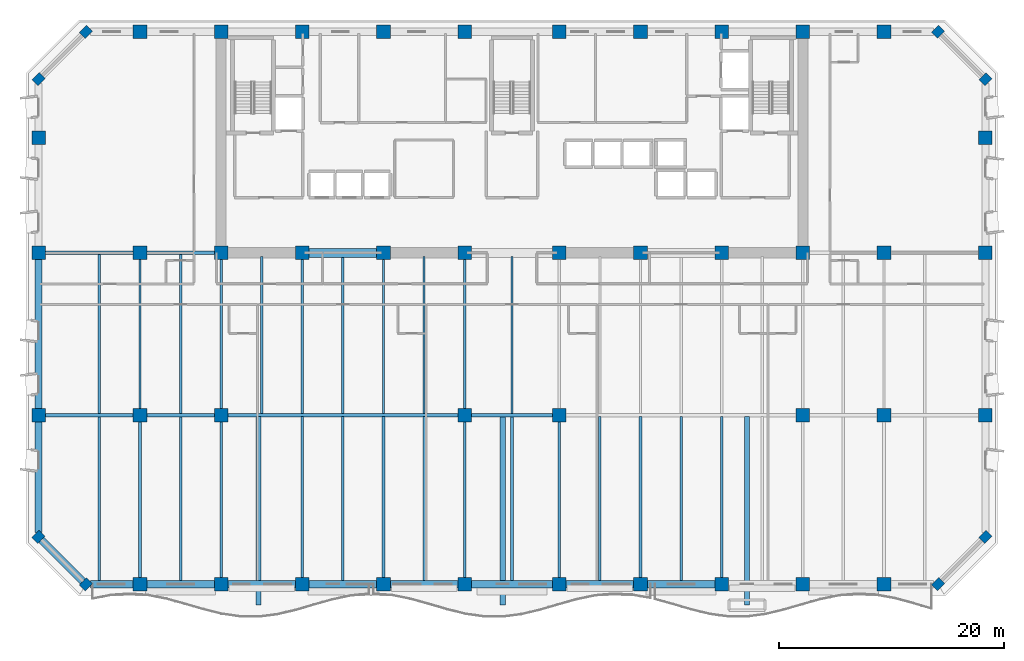
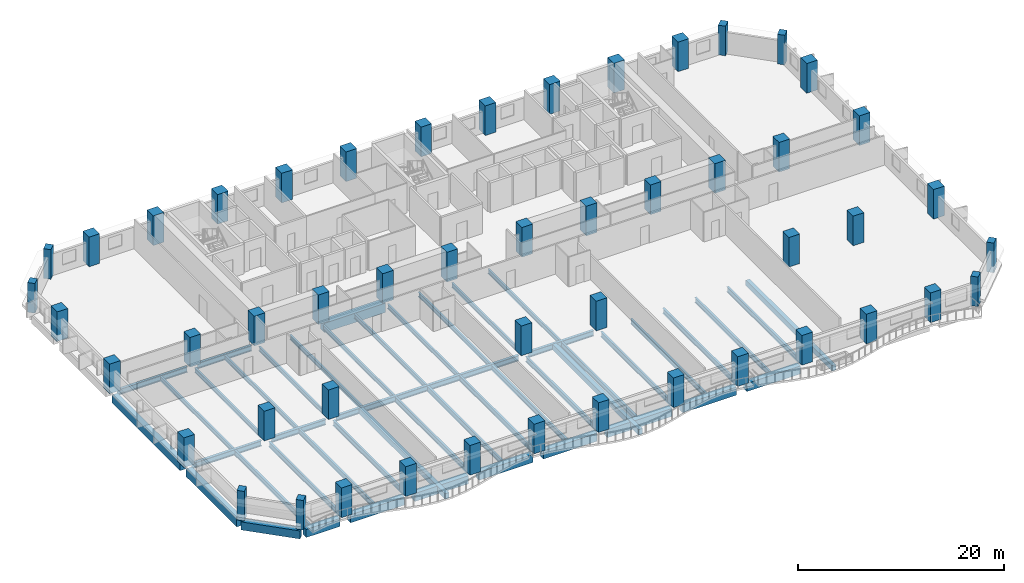
# One storey, part 1 of 14: 50 columns, 47 beams.
"""IFC4 building model written with IfcOpenShell, lengths in metres."""

from ifc_helpers import new_model, si_unit, direction, frame, origin, origin_2d, place, context, subcontext, project, spatial, rectangle, i_section, extrude, material, material_profile, profile_set, type_object, element, save


model = new_model("IFC4")

# Units and contexts
model_context = context("Model", 3, precision=1e-05, world=origin(), true_north=direction((0.0, 1.0)))
body_context = subcontext(model_context, "Body", "Model", "MODEL_VIEW")
ifc_project = project(units=[si_unit("LENGTHUNIT", "METRE"), si_unit("AREAUNIT", "SQUARE_METRE"), si_unit("VOLUMEUNIT", "CUBIC_METRE"), si_unit("PLANEANGLEUNIT", "RADIAN"), si_unit("MASSUNIT", "GRAM", prefix="KILO")], contexts=[model_context])

# Site, building, storey
site_placement = place(None, origin())
site = spatial("IfcSite", under=ifc_project, at=site_placement, CompositionType="ELEMENT")
building_placement = place(site_placement, origin())
building = spatial("IfcBuilding", under=site, at=building_placement, Name="Kaelvorn Grand Hotel", CompositionType="ELEMENT")
storey_placement = place(building_placement, frame((0.0, 0.0, 123.050048828125)))
storey = spatial("IfcBuildingStorey", under=building, at=storey_placement, Name="L29", CompositionType="ELEMENT", Elevation=123.050048828125)

# Columns
ifc_material_1 = material(Name="Concrete C60/75", Category="concrete")
ifc_material_profile_1 = material_profile(ifc_material_1, rectangle(XDim=0.89990234375, YDim=0.75, at=origin_2d()), Name="RC PILASTER 900x750")
ifc_profile_set_1 = profile_set([ifc_material_profile_1], Name="Concrete C60/75")
column_type_1 = type_object("IfcColumnType", Name="COL-PIL-900x750-C60", PredefinedType="PILASTER", material=ifc_profile_set_1)
for number, where, z_axis, x_axis, name in (
    (1, (4.199951171875, 0.0, 0.0), (0.0, 0.0, 1.0), (0.707106781187, 0.707106781187, 0.0), "L29 Structural Column CH-01"),
    (2, (79.800048828125, 0.0, 0.0), (0.0, 0.0, 1.0), (0.707106781187, 0.707106781187, 0.0), "L29 Structural Column CH-02"),
    (3, (84.0, 4.199951171875, 0.0), (0.0, 0.0, 1.0), (0.707106781187, 0.707106781187, 0.0), "L29 Structural Column CH-03"),
    (4, (84.0, 44.800048828125, 0.0), (0.0, 0.0, 1.0), (0.707106781187, 0.707106781187, 0.0), "L29 Structural Column CH-04"),
    (5, (79.800048828125, 49.0, 0.0), (0.0, 0.0, 1.0), (0.707106781187, 0.707106781187, 0.0), "L29 Structural Column CH-05"),
    (6, (4.199951171875, 49.0, 0.0), (0.0, 0.0, 1.0), (0.707106781187, 0.707106781187, 0.0), "L29 Structural Column CH-06"),
    (7, (0.0, 44.800048828125, 0.0), (0.0, 0.0, 1.0), (0.707106781187, 0.707106781187, 0.0), "L29 Structural Column CH-07"),
    (8, (0.0, 4.199951171875, 0.0), (0.0, 0.0, 1.0), (0.707106781187, 0.707106781187, 0.0), "L29 Structural Column CH-08"),
):
    element("IfcColumn", number, at=place(storey_placement, frame(where, z_axis=z_axis, x_axis=x_axis)), inside=storey, type_object=column_type_1, Name=name, PredefinedType="PILASTER", context=body_context, shape_type="SweptSolid", body=[
        extrude(rectangle(XDim=0.89990234375, YDim=0.75, at=origin_2d()), origin(), (0.0, 0.0, 1.0), 3.510009765625),
    ])
ifc_material_profile_2 = material_profile(ifc_material_1, rectangle(XDim=1.199951171875, YDim=1.199951171875, at=origin_2d()), Name="RC COL 1200x1200")
ifc_profile_set_2 = profile_set([ifc_material_profile_2], Name="Concrete C60/75")
column_type_2 = type_object("IfcColumnType", Name="COL-RC-1200-C60", PredefinedType="COLUMN", material=ifc_profile_set_2)
for number, where, z_axis, x_axis, name in (
    (9, (9.0, 0.0, 0.0), (0.0, 0.0, 1.0), (1.0, 0.0, 0.0), "L29 Structural Column S-01"),
    (10, (16.199951171875, 0.0, 0.0), (0.0, 0.0, 1.0), (1.0, 0.0, 0.0), "L29 Structural Column S-02"),
    (11, (23.39990234375, 0.0, 0.0), (0.0, 0.0, 1.0), (1.0, 0.0, 0.0), "L29 Structural Column S-03"),
    (12, (30.60009765625, 0.0, 0.0), (0.0, 0.0, 1.0), (1.0, 0.0, 0.0), "L29 Structural Column S-04"),
    (13, (37.800048828125, 0.0, 0.0), (0.0, 0.0, 1.0), (1.0, 0.0, 0.0), "L29 Structural Column S-05"),
    (14, (46.199951171875, 0.0, 0.0), (0.0, 0.0, 1.0), (1.0, 0.0, 0.0), "L29 Structural Column S-06"),
    (15, (53.39990234375, 0.0, 0.0), (0.0, 0.0, 1.0), (1.0, 0.0, 0.0), "L29 Structural Column S-07"),
    (16, (60.60009765625, 0.0, 0.0), (0.0, 0.0, 1.0), (1.0, 0.0, 0.0), "L29 Structural Column S-08"),
    (17, (67.800048828125, 0.0, 0.0), (0.0, 0.0, 1.0), (1.0, 0.0, 0.0), "L29 Structural Column S-09"),
    (18, (75.0, 0.0, 0.0), (0.0, 0.0, 1.0), (1.0, 0.0, 0.0), "L29 Structural Column S-10"),
    (19, (0.0, 15.0, 0.0), (0.0, 0.0, 1.0), (1.0, 0.0, 0.0), "L29 Structural Column W-01"),
    (20, (84.0, 15.0, 0.0), (0.0, 0.0, 1.0), (1.0, 0.0, 0.0), "L29 Structural Column E-01"),
    (21, (0.0, 29.39990234375, 0.0), (0.0, 0.0, 1.0), (1.0, 0.0, 0.0), "L29 Structural Column W-02"),
    (22, (84.0, 29.39990234375, 0.0), (0.0, 0.0, 1.0), (1.0, 0.0, 0.0), "L29 Structural Column E-02"),
    (23, (0.0, 39.60009765625, 0.0), (0.0, 0.0, 1.0), (1.0, 0.0, 0.0), "L29 Structural Column W-03"),
    (24, (84.0, 39.60009765625, 0.0), (0.0, 0.0, 1.0), (1.0, 0.0, 0.0), "L29 Structural Column E-03"),
    (25, (9.0, 15.0, 0.0), (0.0, 0.0, 1.0), (1.0, 0.0, 0.0), "L29 Structural Column M-01"),
    (26, (16.199951171875, 15.0, 0.0), (0.0, 0.0, 1.0), (1.0, 0.0, 0.0), "L29 Structural Column M-02"),
    (27, (37.800048828125, 15.0, 0.0), (0.0, 0.0, 1.0), (1.0, 0.0, 0.0), "L29 Structural Column M-03"),
    (28, (46.199951171875, 15.0, 0.0), (0.0, 0.0, 1.0), (1.0, 0.0, 0.0), "L29 Structural Column M-04"),
    (29, (67.800048828125, 15.0, 0.0), (0.0, 0.0, 1.0), (1.0, 0.0, 0.0), "L29 Structural Column M-05"),
    (30, (75.0, 15.0, 0.0), (0.0, 0.0, 1.0), (1.0, 0.0, 0.0), "L29 Structural Column M-06"),
    (31, (9.0, 29.39990234375, 0.0), (0.0, 0.0, 1.0), (1.0, 0.0, 0.0), "L29 Structural Column CR1-01"),
    (32, (9.0, 49.0, 0.0), (0.0, 0.0, 1.0), (1.0, 0.0, 0.0), "L29 Structural Column CR2-01"),
    (33, (16.199951171875, 29.39990234375, 0.0), (0.0, 0.0, 1.0), (1.0, 0.0, 0.0), "L29 Structural Column CR1-02"),
    (34, (16.199951171875, 49.0, 0.0), (0.0, 0.0, 1.0), (1.0, 0.0, 0.0), "L29 Structural Column CR2-02"),
    (35, (23.39990234375, 29.39990234375, 0.0), (0.0, 0.0, 1.0), (1.0, 0.0, 0.0), "L29 Structural Column CR1-03"),
    (36, (23.39990234375, 49.0, 0.0), (0.0, 0.0, 1.0), (1.0, 0.0, 0.0), "L29 Structural Column CR2-03"),
    (37, (30.60009765625, 29.39990234375, 0.0), (0.0, 0.0, 1.0), (1.0, 0.0, 0.0), "L29 Structural Column CR1-04"),
    (38, (30.60009765625, 49.0, 0.0), (0.0, 0.0, 1.0), (1.0, 0.0, 0.0), "L29 Structural Column CR2-04"),
    (39, (37.800048828125, 29.39990234375, 0.0), (0.0, 0.0, 1.0), (1.0, 0.0, 0.0), "L29 Structural Column CR1-05"),
    (40, (37.800048828125, 49.0, 0.0), (0.0, 0.0, 1.0), (1.0, 0.0, 0.0), "L29 Structural Column CR2-05"),
    (41, (46.199951171875, 29.39990234375, 0.0), (0.0, 0.0, 1.0), (1.0, 0.0, 0.0), "L29 Structural Column CR1-06"),
    (42, (46.199951171875, 49.0, 0.0), (0.0, 0.0, 1.0), (1.0, 0.0, 0.0), "L29 Structural Column CR2-06"),
    (43, (53.39990234375, 29.39990234375, 0.0), (0.0, 0.0, 1.0), (1.0, 0.0, 0.0), "L29 Structural Column CR1-07"),
    (44, (53.39990234375, 49.0, 0.0), (0.0, 0.0, 1.0), (1.0, 0.0, 0.0), "L29 Structural Column CR2-07"),
    (45, (60.60009765625, 29.39990234375, 0.0), (0.0, 0.0, 1.0), (1.0, 0.0, 0.0), "L29 Structural Column CR1-08"),
    (46, (60.60009765625, 49.0, 0.0), (0.0, 0.0, 1.0), (1.0, 0.0, 0.0), "L29 Structural Column CR2-08"),
    (47, (67.800048828125, 29.39990234375, 0.0), (0.0, 0.0, 1.0), (1.0, 0.0, 0.0), "L29 Structural Column CR1-09"),
    (48, (67.800048828125, 49.0, 0.0), (0.0, 0.0, 1.0), (1.0, 0.0, 0.0), "L29 Structural Column CR2-09"),
    (49, (75.0, 29.39990234375, 0.0), (0.0, 0.0, 1.0), (1.0, 0.0, 0.0), "L29 Structural Column CR1-10"),
    (50, (75.0, 49.0, 0.0), (0.0, 0.0, 1.0), (1.0, 0.0, 0.0), "L29 Structural Column CR2-10"),
):
    element("IfcColumn", number, at=place(storey_placement, frame(where, z_axis=z_axis, x_axis=x_axis)), inside=storey, type_object=column_type_2, Name=name, PredefinedType="COLUMN", context=body_context, shape_type="SweptSolid", body=[
        extrude(rectangle(XDim=1.199951171875, YDim=1.199951171875, at=origin_2d()), origin(), (0.0, 0.0, 1.0), 3.510009765625),
    ])

# Beams
ifc_material_2 = material(Name="Steel S355", Category="steel")
ifc_material_profile_3 = material_profile(ifc_material_2, i_section(OverallWidth=0.300048828125, OverallDepth=0.64990234375, WebThickness=0.01611328125, FlangeThickness=0.031005859375, FilletRadius=0.027099609375, at=origin_2d()), Name="HEB 650")
ifc_profile_set_3 = profile_set([ifc_material_profile_3], Name="Steel S355")
beam_type_1 = type_object("IfcBeamType", Name="BM-G-HEB650-S355", PredefinedType="BEAM", material=ifc_profile_set_3)
beam_1_placement = place(storey_placement, frame((0.5849609375, 15.0, -0.56494140625), z_axis=(1.0, 0.0, 0.0), x_axis=(0.0, 1.0, 0.0)))
element("IfcBeam", 51, at=beam_1_placement, inside=storey, type_object=beam_type_1, Name="L29 Primary Spine Steel Girder G-15 01", PredefinedType="BEAM", context=body_context, shape_type="SweptSolid", body=[
    extrude(i_section(OverallWidth=0.300048828125, OverallDepth=0.64990234375, WebThickness=0.01611328125, FlangeThickness=0.031005859375, FilletRadius=0.027099609375, at=origin_2d()), origin(), (0.0, 0.0, 1.0), 7.830078125),
])
beam_2_placement = place(storey_placement, frame((9.5849609375, 15.0, -0.56494140625), z_axis=(1.0, 0.0, 0.0), x_axis=(0.0, 1.0, 0.0)))
element("IfcBeam", 52, at=beam_2_placement, inside=storey, type_object=beam_type_1, Name="L29 Primary Spine Steel Girder G-15 02", PredefinedType="BEAM", context=body_context, shape_type="SweptSolid", body=[
    extrude(i_section(OverallWidth=0.300048828125, OverallDepth=0.64990234375, WebThickness=0.01611328125, FlangeThickness=0.031005859375, FilletRadius=0.027099609375, at=origin_2d()), origin(), (0.0, 0.0, 1.0), 6.030029296875),
])
beam_3_placement = place(storey_placement, frame((16.784912109375, 15.0, -0.56494140625), z_axis=(1.0, 0.0, 0.0), x_axis=(0.0, 1.0, 0.0)))
element("IfcBeam", 53, at=beam_3_placement, inside=storey, type_object=beam_type_1, Name="L29 Primary Spine Steel Girder G-15 03", PredefinedType="BEAM", context=body_context, shape_type="SweptSolid", body=[
    extrude(i_section(OverallWidth=0.300048828125, OverallDepth=0.64990234375, WebThickness=0.01611328125, FlangeThickness=0.031005859375, FilletRadius=0.027099609375, at=origin_2d()), origin(), (0.0, 0.0, 1.0), 20.43017578125),
])
beam_4_placement = place(storey_placement, frame((38.385009765625, 15.0, -0.56494140625), z_axis=(1.0, 0.0, 0.0), x_axis=(0.0, 1.0, 0.0)))
element("IfcBeam", 54, at=beam_4_placement, inside=storey, type_object=beam_type_1, Name="L29 Primary Spine Steel Girder G-15 04", PredefinedType="BEAM", context=body_context, shape_type="SweptSolid", body=[
    extrude(i_section(OverallWidth=0.300048828125, OverallDepth=0.64990234375, WebThickness=0.01611328125, FlangeThickness=0.031005859375, FilletRadius=0.027099609375, at=origin_2d()), origin(), (0.0, 0.0, 1.0), 7.22998046875),
])
beam_5_placement = place(storey_placement, frame((0.5849609375, 29.39990234375, -0.56494140625), z_axis=(1.0, 0.0, 0.0), x_axis=(0.0, 1.0, 0.0)))
element("IfcBeam", 55, at=beam_5_placement, inside=storey, type_object=beam_type_1, Name="L29 West Core Wing Steel Girder G-29W 01", PredefinedType="BEAM", context=body_context, shape_type="SweptSolid", body=[
    extrude(i_section(OverallWidth=0.300048828125, OverallDepth=0.64990234375, WebThickness=0.01611328125, FlangeThickness=0.031005859375, FilletRadius=0.027099609375, at=origin_2d()), origin(), (0.0, 0.0, 1.0), 7.830078125),
])
beam_6_placement = place(storey_placement, frame((9.5849609375, 29.39990234375, -0.56494140625), z_axis=(1.0, 0.0, 0.0), x_axis=(0.0, 1.0, 0.0)))
element("IfcBeam", 56, at=beam_6_placement, inside=storey, type_object=beam_type_1, Name="L29 West Core Wing Steel Girder G-29W 02", PredefinedType="BEAM", context=body_context, shape_type="SweptSolid", body=[
    extrude(i_section(OverallWidth=0.300048828125, OverallDepth=0.64990234375, WebThickness=0.01611328125, FlangeThickness=0.031005859375, FilletRadius=0.027099609375, at=origin_2d()), origin(), (0.0, 0.0, 1.0), 6.030029296875),
])
ifc_material_profile_4 = material_profile(ifc_material_2, i_section(OverallWidth=0.209228515625, OverallDepth=0.533203125, WebThickness=0.010009765625, FlangeThickness=0.015625, FilletRadius=0.0126953125, at=origin_2d()), Name="UB 533x210x92")
ifc_profile_set_4 = profile_set([ifc_material_profile_4], Name="Steel S355")
beam_type_2 = type_object("IfcBeamType", Name="BM-J-UB533-S355", PredefinedType="JOIST", material=ifc_profile_set_4)
beam_7_placement = place(storey_placement, frame((5.39990234375, 15.135009765625, -0.506591796875), z_axis=(0.0, 1.0, 0.0), x_axis=(-1.0, 0.0, 0.0)))
element("IfcBeam", 57, at=beam_7_placement, inside=storey, type_object=beam_type_2, Name="L29 Composite Floor Joist JM-02", PredefinedType="JOIST", context=body_context, shape_type="SweptSolid", body=[
    extrude(i_section(OverallWidth=0.209228515625, OverallDepth=0.533203125, WebThickness=0.010009765625, FlangeThickness=0.015625, FilletRadius=0.0126953125, at=origin_2d()), origin(), (0.0, 0.0, 1.0), 14.1298828125),
])
beam_8_placement = place(storey_placement, frame((9.0, 15.5849609375, -0.506591796875), z_axis=(0.0, 1.0, 0.0), x_axis=(-1.0, 0.0, 0.0)))
element("IfcBeam", 58, at=beam_8_placement, inside=storey, type_object=beam_type_2, Name="L29 Composite Floor Joist JM-03", PredefinedType="JOIST", context=body_context, shape_type="SweptSolid", body=[
    extrude(i_section(OverallWidth=0.209228515625, OverallDepth=0.533203125, WebThickness=0.010009765625, FlangeThickness=0.015625, FilletRadius=0.0126953125, at=origin_2d()), origin(), (0.0, 0.0, 1.0), 13.22998046875),
])
beam_9_placement = place(storey_placement, frame((12.60009765625, 15.135009765625, -0.506591796875), z_axis=(0.0, 1.0, 0.0), x_axis=(-1.0, 0.0, 0.0)))
element("IfcBeam", 59, at=beam_9_placement, inside=storey, type_object=beam_type_2, Name="L29 Composite Floor Joist JM-04", PredefinedType="JOIST", context=body_context, shape_type="SweptSolid", body=[
    extrude(i_section(OverallWidth=0.209228515625, OverallDepth=0.533203125, WebThickness=0.010009765625, FlangeThickness=0.015625, FilletRadius=0.0126953125, at=origin_2d()), origin(), (0.0, 0.0, 1.0), 14.1298828125),
])
beam_10_placement = place(storey_placement, frame((16.199951171875, 15.5849609375, -0.506591796875), z_axis=(0.0, 1.0, 0.0), x_axis=(-1.0, 0.0, 0.0)))
element("IfcBeam", 60, at=beam_10_placement, inside=storey, type_object=beam_type_2, Name="L29 Composite Floor Joist JM-05", PredefinedType="JOIST", context=body_context, shape_type="SweptSolid", body=[
    extrude(i_section(OverallWidth=0.209228515625, OverallDepth=0.533203125, WebThickness=0.010009765625, FlangeThickness=0.015625, FilletRadius=0.0126953125, at=origin_2d()), origin(), (0.0, 0.0, 1.0), 13.22998046875),
])
beam_11_placement = place(storey_placement, frame((19.800048828125, 15.135009765625, -0.506591796875), z_axis=(0.0, 1.0, 0.0), x_axis=(-1.0, 0.0, 0.0)))
element("IfcBeam", 61, at=beam_11_placement, inside=storey, type_object=beam_type_2, Name="L29 Composite Floor Joist JM-06", PredefinedType="JOIST", context=body_context, shape_type="SweptSolid", body=[
    extrude(i_section(OverallWidth=0.209228515625, OverallDepth=0.533203125, WebThickness=0.010009765625, FlangeThickness=0.015625, FilletRadius=0.0126953125, at=origin_2d()), origin(), (0.0, 0.0, 1.0), 13.925048828125),
])
beam_12_placement = place(storey_placement, frame((23.39990234375, 15.135009765625, -0.506591796875), z_axis=(0.0, 1.0, 0.0), x_axis=(-1.0, 0.0, 0.0)))
element("IfcBeam", 62, at=beam_12_placement, inside=storey, type_object=beam_type_2, Name="L29 Composite Floor Joist JM-07", PredefinedType="JOIST", context=body_context, shape_type="SweptSolid", body=[
    extrude(i_section(OverallWidth=0.209228515625, OverallDepth=0.533203125, WebThickness=0.010009765625, FlangeThickness=0.015625, FilletRadius=0.0126953125, at=origin_2d()), origin(), (0.0, 0.0, 1.0), 13.679931640625),
])
beam_13_placement = place(storey_placement, frame((27.0, 15.135009765625, -0.506591796875), z_axis=(0.0, 1.0, 0.0), x_axis=(-1.0, 0.0, 0.0)))
element("IfcBeam", 63, at=beam_13_placement, inside=storey, type_object=beam_type_2, Name="L29 Composite Floor Joist JM-08", PredefinedType="JOIST", context=body_context, shape_type="SweptSolid", body=[
    extrude(i_section(OverallWidth=0.209228515625, OverallDepth=0.533203125, WebThickness=0.010009765625, FlangeThickness=0.015625, FilletRadius=0.0126953125, at=origin_2d()), origin(), (0.0, 0.0, 1.0), 13.925048828125),
])
beam_14_placement = place(storey_placement, frame((30.60009765625, 15.135009765625, -0.506591796875), z_axis=(0.0, 1.0, 0.0), x_axis=(-1.0, 0.0, 0.0)))
element("IfcBeam", 64, at=beam_14_placement, inside=storey, type_object=beam_type_2, Name="L29 Composite Floor Joist JM-09", PredefinedType="JOIST", context=body_context, shape_type="SweptSolid", body=[
    extrude(i_section(OverallWidth=0.209228515625, OverallDepth=0.533203125, WebThickness=0.010009765625, FlangeThickness=0.015625, FilletRadius=0.0126953125, at=origin_2d()), origin(), (0.0, 0.0, 1.0), 13.679931640625),
])
beam_15_placement = place(storey_placement, frame((34.199951171875, 15.135009765625, -0.506591796875), z_axis=(0.0, 1.0, 0.0), x_axis=(-1.0, 0.0, 0.0)))
element("IfcBeam", 65, at=beam_15_placement, inside=storey, type_object=beam_type_2, Name="L29 Composite Floor Joist JM-10", PredefinedType="JOIST", context=body_context, shape_type="SweptSolid", body=[
    extrude(i_section(OverallWidth=0.209228515625, OverallDepth=0.533203125, WebThickness=0.010009765625, FlangeThickness=0.015625, FilletRadius=0.0126953125, at=origin_2d()), origin(), (0.0, 0.0, 1.0), 13.925048828125),
])
beam_16_placement = place(storey_placement, frame((37.800048828125, 15.5849609375, -0.506591796875), z_axis=(0.0, 1.0, 0.0), x_axis=(-1.0, 0.0, 0.0)))
element("IfcBeam", 66, at=beam_16_placement, inside=storey, type_object=beam_type_2, Name="L29 Composite Floor Joist JM-11", PredefinedType="JOIST", context=body_context, shape_type="SweptSolid", body=[
    extrude(i_section(OverallWidth=0.209228515625, OverallDepth=0.533203125, WebThickness=0.010009765625, FlangeThickness=0.015625, FilletRadius=0.0126953125, at=origin_2d()), origin(), (0.0, 0.0, 1.0), 13.22998046875),
])
beam_17_placement = place(storey_placement, frame((42.0, 15.135009765625, -0.506591796875), z_axis=(0.0, 1.0, 0.0), x_axis=(-1.0, 0.0, 0.0)))
element("IfcBeam", 67, at=beam_17_placement, inside=storey, type_object=beam_type_2, Name="L29 Composite Floor Joist JM-12", PredefinedType="JOIST", context=body_context, shape_type="SweptSolid", body=[
    extrude(i_section(OverallWidth=0.209228515625, OverallDepth=0.533203125, WebThickness=0.010009765625, FlangeThickness=0.015625, FilletRadius=0.0126953125, at=origin_2d()), origin(), (0.0, 0.0, 1.0), 13.925048828125),
])
ifc_material_profile_5 = material_profile(ifc_material_2, i_section(OverallWidth=0.22900390625, OverallDepth=0.6123046875, WebThickness=0.011962890625, FlangeThickness=0.01953125, FilletRadius=0.0126953125, at=origin_2d()), Name="UB 610x229x125")
ifc_profile_set_5 = profile_set([ifc_material_profile_5], Name="Steel S355")
beam_type_3 = type_object("IfcBeamType", Name="BM-J-UB610-S355", PredefinedType="JOIST", material=ifc_profile_set_5)
beam_18_placement = place(storey_placement, frame((5.39990234375, 0.31005859375, -0.546142578125), z_axis=(0.0, 1.0, 0.0), x_axis=(-1.0, 0.0, 0.0)))
element("IfcBeam", 68, at=beam_18_placement, inside=storey, type_object=beam_type_3, Name="L29 Composite Floor Joist JS-02", PredefinedType="JOIST", context=body_context, shape_type="SweptSolid", body=[
    extrude(i_section(OverallWidth=0.22900390625, OverallDepth=0.6123046875, WebThickness=0.011962890625, FlangeThickness=0.01953125, FilletRadius=0.0126953125, at=origin_2d()), origin(), (0.0, 0.0, 1.0), 14.554931640625),
])
beam_19_placement = place(storey_placement, frame((9.0, 0.5849609375, -0.546142578125), z_axis=(0.0, 1.0, 0.0), x_axis=(-1.0, 0.0, 0.0)))
element("IfcBeam", 69, at=beam_19_placement, inside=storey, type_object=beam_type_3, Name="L29 Composite Floor Joist JS-03", PredefinedType="JOIST", context=body_context, shape_type="SweptSolid", body=[
    extrude(i_section(OverallWidth=0.22900390625, OverallDepth=0.6123046875, WebThickness=0.011962890625, FlangeThickness=0.01953125, FilletRadius=0.0126953125, at=origin_2d()), origin(), (0.0, 0.0, 1.0), 13.830078125),
])
beam_20_placement = place(storey_placement, frame((12.60009765625, 0.31005859375, -0.546142578125), z_axis=(0.0, 1.0, 0.0), x_axis=(-1.0, 0.0, 0.0)))
element("IfcBeam", 70, at=beam_20_placement, inside=storey, type_object=beam_type_3, Name="L29 Composite Floor Joist JS-04", PredefinedType="JOIST", context=body_context, shape_type="SweptSolid", body=[
    extrude(i_section(OverallWidth=0.22900390625, OverallDepth=0.6123046875, WebThickness=0.011962890625, FlangeThickness=0.01953125, FilletRadius=0.0126953125, at=origin_2d()), origin(), (0.0, 0.0, 1.0), 14.554931640625),
])
beam_21_placement = place(storey_placement, frame((16.199951171875, 0.5849609375, -0.546142578125), z_axis=(0.0, 1.0, 0.0), x_axis=(-1.0, 0.0, 0.0)))
element("IfcBeam", 71, at=beam_21_placement, inside=storey, type_object=beam_type_3, Name="L29 Composite Floor Joist JS-05", PredefinedType="JOIST", context=body_context, shape_type="SweptSolid", body=[
    extrude(i_section(OverallWidth=0.22900390625, OverallDepth=0.6123046875, WebThickness=0.011962890625, FlangeThickness=0.01953125, FilletRadius=0.0126953125, at=origin_2d()), origin(), (0.0, 0.0, 1.0), 13.830078125),
])
beam_22_placement = place(storey_placement, frame((23.39990234375, 0.5849609375, -0.546142578125), z_axis=(0.0, 1.0, 0.0), x_axis=(-1.0, 0.0, 0.0)))
element("IfcBeam", 72, at=beam_22_placement, inside=storey, type_object=beam_type_3, Name="L29 Composite Floor Joist JS-07", PredefinedType="JOIST", context=body_context, shape_type="SweptSolid", body=[
    extrude(i_section(OverallWidth=0.22900390625, OverallDepth=0.6123046875, WebThickness=0.011962890625, FlangeThickness=0.01953125, FilletRadius=0.0126953125, at=origin_2d()), origin(), (0.0, 0.0, 1.0), 14.280029296875),
])
beam_23_placement = place(storey_placement, frame((27.0, 0.31005859375, -0.546142578125), z_axis=(0.0, 1.0, 0.0), x_axis=(-1.0, 0.0, 0.0)))
element("IfcBeam", 73, at=beam_23_placement, inside=storey, type_object=beam_type_3, Name="L29 Composite Floor Joist JS-08", PredefinedType="JOIST", context=body_context, shape_type="SweptSolid", body=[
    extrude(i_section(OverallWidth=0.22900390625, OverallDepth=0.6123046875, WebThickness=0.011962890625, FlangeThickness=0.01953125, FilletRadius=0.0126953125, at=origin_2d()), origin(), (0.0, 0.0, 1.0), 14.554931640625),
])
beam_24_placement = place(storey_placement, frame((30.60009765625, 0.5849609375, -0.546142578125), z_axis=(0.0, 1.0, 0.0), x_axis=(-1.0, 0.0, 0.0)))
element("IfcBeam", 74, at=beam_24_placement, inside=storey, type_object=beam_type_3, Name="L29 Composite Floor Joist JS-09", PredefinedType="JOIST", context=body_context, shape_type="SweptSolid", body=[
    extrude(i_section(OverallWidth=0.22900390625, OverallDepth=0.6123046875, WebThickness=0.011962890625, FlangeThickness=0.01953125, FilletRadius=0.0126953125, at=origin_2d()), origin(), (0.0, 0.0, 1.0), 14.280029296875),
])
beam_25_placement = place(storey_placement, frame((34.199951171875, 0.31005859375, -0.546142578125), z_axis=(0.0, 1.0, 0.0), x_axis=(-1.0, 0.0, 0.0)))
element("IfcBeam", 75, at=beam_25_placement, inside=storey, type_object=beam_type_3, Name="L29 Composite Floor Joist JS-10", PredefinedType="JOIST", context=body_context, shape_type="SweptSolid", body=[
    extrude(i_section(OverallWidth=0.22900390625, OverallDepth=0.6123046875, WebThickness=0.011962890625, FlangeThickness=0.01953125, FilletRadius=0.0126953125, at=origin_2d()), origin(), (0.0, 0.0, 1.0), 14.554931640625),
])
beam_26_placement = place(storey_placement, frame((37.800048828125, 0.5849609375, -0.546142578125), z_axis=(0.0, 1.0, 0.0), x_axis=(-1.0, 0.0, 0.0)))
element("IfcBeam", 76, at=beam_26_placement, inside=storey, type_object=beam_type_3, Name="L29 Composite Floor Joist JS-11", PredefinedType="JOIST", context=body_context, shape_type="SweptSolid", body=[
    extrude(i_section(OverallWidth=0.22900390625, OverallDepth=0.6123046875, WebThickness=0.011962890625, FlangeThickness=0.01953125, FilletRadius=0.0126953125, at=origin_2d()), origin(), (0.0, 0.0, 1.0), 13.830078125),
])
beam_27_placement = place(storey_placement, frame((42.0, 0.31005859375, -0.546142578125), z_axis=(0.0, 1.0, 0.0), x_axis=(-1.0, 0.0, 0.0)))
element("IfcBeam", 77, at=beam_27_placement, inside=storey, type_object=beam_type_3, Name="L29 Composite Floor Joist JS-12", PredefinedType="JOIST", context=body_context, shape_type="SweptSolid", body=[
    extrude(i_section(OverallWidth=0.22900390625, OverallDepth=0.6123046875, WebThickness=0.011962890625, FlangeThickness=0.01953125, FilletRadius=0.0126953125, at=origin_2d()), origin(), (0.0, 0.0, 1.0), 14.554931640625),
])
beam_28_placement = place(storey_placement, frame((46.199951171875, 0.5849609375, -0.546142578125), z_axis=(0.0, 1.0, 0.0), x_axis=(-1.0, 0.0, 0.0)))
element("IfcBeam", 78, at=beam_28_placement, inside=storey, type_object=beam_type_3, Name="L29 Composite Floor Joist JS-13", PredefinedType="JOIST", context=body_context, shape_type="SweptSolid", body=[
    extrude(i_section(OverallWidth=0.22900390625, OverallDepth=0.6123046875, WebThickness=0.011962890625, FlangeThickness=0.01953125, FilletRadius=0.0126953125, at=origin_2d()), origin(), (0.0, 0.0, 1.0), 13.830078125),
])
beam_29_placement = place(storey_placement, frame((49.800048828125, 0.31005859375, -0.546142578125), z_axis=(0.0, 1.0, 0.0), x_axis=(-1.0, 0.0, 0.0)))
element("IfcBeam", 79, at=beam_29_placement, inside=storey, type_object=beam_type_3, Name="L29 Composite Floor Joist JS-14", PredefinedType="JOIST", context=body_context, shape_type="SweptSolid", body=[
    extrude(i_section(OverallWidth=0.22900390625, OverallDepth=0.6123046875, WebThickness=0.011962890625, FlangeThickness=0.01953125, FilletRadius=0.0126953125, at=origin_2d()), origin(), (0.0, 0.0, 1.0), 14.554931640625),
])
beam_30_placement = place(storey_placement, frame((53.39990234375, 0.5849609375, -0.546142578125), z_axis=(0.0, 1.0, 0.0), x_axis=(-1.0, 0.0, 0.0)))
element("IfcBeam", 80, at=beam_30_placement, inside=storey, type_object=beam_type_3, Name="L29 Composite Floor Joist JS-15", PredefinedType="JOIST", context=body_context, shape_type="SweptSolid", body=[
    extrude(i_section(OverallWidth=0.22900390625, OverallDepth=0.6123046875, WebThickness=0.011962890625, FlangeThickness=0.01953125, FilletRadius=0.0126953125, at=origin_2d()), origin(), (0.0, 0.0, 1.0), 14.280029296875),
])
beam_31_placement = place(storey_placement, frame((57.0, 0.31005859375, -0.546142578125), z_axis=(0.0, 1.0, 0.0), x_axis=(-1.0, 0.0, 0.0)))
element("IfcBeam", 81, at=beam_31_placement, inside=storey, type_object=beam_type_3, Name="L29 Composite Floor Joist JS-16", PredefinedType="JOIST", context=body_context, shape_type="SweptSolid", body=[
    extrude(i_section(OverallWidth=0.22900390625, OverallDepth=0.6123046875, WebThickness=0.011962890625, FlangeThickness=0.01953125, FilletRadius=0.0126953125, at=origin_2d()), origin(), (0.0, 0.0, 1.0), 14.554931640625),
])
beam_32_placement = place(storey_placement, frame((60.60009765625, 0.5849609375, -0.546142578125), z_axis=(0.0, 1.0, 0.0), x_axis=(-1.0, 0.0, 0.0)))
element("IfcBeam", 82, at=beam_32_placement, inside=storey, type_object=beam_type_3, Name="L29 Composite Floor Joist JS-17", PredefinedType="JOIST", context=body_context, shape_type="SweptSolid", body=[
    extrude(i_section(OverallWidth=0.22900390625, OverallDepth=0.6123046875, WebThickness=0.011962890625, FlangeThickness=0.01953125, FilletRadius=0.0126953125, at=origin_2d()), origin(), (0.0, 0.0, 1.0), 14.280029296875),
])
ifc_material_profile_6 = material_profile(ifc_material_1, rectangle(XDim=0.800048828125, YDim=1.10009765625, at=origin_2d()), Name="RC LINTEL 800x1100")
ifc_profile_set_6 = profile_set([ifc_material_profile_6], Name="Concrete C60/75")
beam_type_4 = type_object("IfcBeamType", Name="BM-LIN-800x1100-C60", PredefinedType="LINTEL", material=ifc_profile_set_6)
beam_33_placement = place(storey_placement, frame((23.580078125, 29.39990234375, -0.7900390625), z_axis=(1.0, 0.0, 0.0), x_axis=(0.0, 1.0, 0.0)))
element("IfcBeam", 83, at=beam_33_placement, inside=storey, type_object=beam_type_4, Name="L29 Rear-Core Coupling Lintel Beam CB1-01", PredefinedType="LINTEL", context=body_context, shape_type="SweptSolid", body=[
    extrude(rectangle(XDim=0.800048828125, YDim=1.10009765625, at=origin_2d()), origin(), (0.0, 0.0, 1.0), 6.83984375),
])
ifc_material_3 = material(Name="Concrete C40/50", Category="concrete")
ifc_material_profile_7 = material_profile(ifc_material_3, rectangle(XDim=0.449951171875, YDim=0.64990234375, at=origin_2d()), Name="RC RIB 450x650")
ifc_profile_set_7 = profile_set([ifc_material_profile_7], Name="Concrete C40/50")
beam_type_5 = type_object("IfcBeamType", Name="BM-RIB-450x650-C40", PredefinedType="SPANDREL", material=ifc_profile_set_7)
for number, where, z_axis, x_axis, name in (
    (84, (19.52001953125, -1.85009765625, -0.545166015625), (0.0, 1.0, 0.0), (-1.0, 0.0, 0.0), "L29 Cantilevered Balcony Back-Span Rib RB1-1"),
    (85, (41.18212890625, -1.85009765625, -0.545166015625), (0.0, 1.0, 0.0), (-1.0, 0.0, 0.0), "L29 Cantilevered Balcony Back-Span Rib RB1-2"),
    (86, (62.844482421875, -1.85009765625, -0.545166015625), (0.0, 1.0, 0.0), (-1.0, 0.0, 0.0), "L29 Cantilevered Balcony Back-Span Rib RB1-3"),
):
    element("IfcBeam", number, at=place(storey_placement, frame(where, z_axis=z_axis, x_axis=x_axis)), inside=storey, type_object=beam_type_5, Name=name, PredefinedType="SPANDREL", context=body_context, shape_type="SweptSolid", body=[
        extrude(rectangle(XDim=0.449951171875, YDim=0.64990234375, at=origin_2d()), origin(), (0.0, 0.0, 1.0), 16.715087890625),
    ])
ifc_material_profile_8 = material_profile(ifc_material_1, rectangle(XDim=0.64990234375, YDim=0.949951171875, at=origin_2d()), Name="RC SPANDREL 650x950")
ifc_profile_set_8 = profile_set([ifc_material_profile_8], Name="Concrete C60/75")
beam_type_6 = type_object("IfcBeamType", Name="BM-SP-650x950-C60", PredefinedType="SPANDREL", material=ifc_profile_set_8)
beam_34_placement = place(storey_placement, frame((4.60498046875, 0.0, -0.715087890625), z_axis=(1.0, 0.0, 0.0), x_axis=(0.0, 1.0, 0.0)))
element("IfcBeam", 87, at=beam_34_placement, inside=storey, type_object=beam_type_6, Name="L29 South Perimeter Spandrel 01", PredefinedType="SPANDREL", context=body_context, shape_type="SweptSolid", body=[
    extrude(rectangle(XDim=0.64990234375, YDim=0.949951171875, at=origin_2d()), origin(), (0.0, 0.0, 1.0), 3.81005859375),
])
for number, where, z_axis, x_axis, name in (
    (88, (9.5849609375, 0.0, -0.715087890625), (1.0, 0.0, 0.0), (0.0, 1.0, 0.0), "L29 South Perimeter Spandrel 02"),
    (89, (16.784912109375, 0.0, -0.715087890625), (1.0, 0.0, 0.0), (0.0, 1.0, 0.0), "L29 South Perimeter Spandrel 03"),
):
    element("IfcBeam", number, at=place(storey_placement, frame(where, z_axis=z_axis, x_axis=x_axis)), inside=storey, type_object=beam_type_6, Name=name, PredefinedType="SPANDREL", context=body_context, shape_type="SweptSolid", body=[
        extrude(rectangle(XDim=0.64990234375, YDim=0.949951171875, at=origin_2d()), origin(), (0.0, 0.0, 1.0), 6.030029296875),
    ])
beam_35_placement = place(storey_placement, frame((23.985107421875, 0.0, -0.715087890625), z_axis=(1.0, 0.0, 0.0), x_axis=(0.0, 1.0, 0.0)))
element("IfcBeam", 90, at=beam_35_placement, inside=storey, type_object=beam_type_6, Name="L29 South Perimeter Spandrel 04", PredefinedType="SPANDREL", context=body_context, shape_type="SweptSolid", body=[
    extrude(rectangle(XDim=0.64990234375, YDim=0.949951171875, at=origin_2d()), origin(), (0.0, 0.0, 1.0), 6.02978515625),
])
beam_36_placement = place(storey_placement, frame((31.18505859375, 0.0, -0.715087890625), z_axis=(1.0, 0.0, 0.0), x_axis=(0.0, 1.0, 0.0)))
element("IfcBeam", 91, at=beam_36_placement, inside=storey, type_object=beam_type_6, Name="L29 South Perimeter Spandrel 05", PredefinedType="SPANDREL", context=body_context, shape_type="SweptSolid", body=[
    extrude(rectangle(XDim=0.64990234375, YDim=0.949951171875, at=origin_2d()), origin(), (0.0, 0.0, 1.0), 6.030029296875),
])
beam_37_placement = place(storey_placement, frame((38.385009765625, 0.0, -0.715087890625), z_axis=(1.0, 0.0, 0.0), x_axis=(0.0, 1.0, 0.0)))
element("IfcBeam", 92, at=beam_37_placement, inside=storey, type_object=beam_type_6, Name="L29 South Perimeter Spandrel 06", PredefinedType="SPANDREL", context=body_context, shape_type="SweptSolid", body=[
    extrude(rectangle(XDim=0.64990234375, YDim=0.949951171875, at=origin_2d()), origin(), (0.0, 0.0, 1.0), 7.22998046875),
])
beam_38_placement = place(storey_placement, frame((46.784912109375, 0.0, -0.715087890625), z_axis=(1.0, 0.0, 0.0), x_axis=(0.0, 1.0, 0.0)))
element("IfcBeam", 93, at=beam_38_placement, inside=storey, type_object=beam_type_6, Name="L29 South Perimeter Spandrel 07", PredefinedType="SPANDREL", context=body_context, shape_type="SweptSolid", body=[
    extrude(rectangle(XDim=0.64990234375, YDim=0.949951171875, at=origin_2d()), origin(), (0.0, 0.0, 1.0), 6.030029296875),
])
beam_39_placement = place(storey_placement, frame((53.985107421875, 0.0, -0.715087890625), z_axis=(1.0, 0.0, 0.0), x_axis=(0.0, 1.0, 0.0)))
element("IfcBeam", 94, at=beam_39_placement, inside=storey, type_object=beam_type_6, Name="L29 South Perimeter Spandrel 08", PredefinedType="SPANDREL", context=body_context, shape_type="SweptSolid", body=[
    extrude(rectangle(XDim=0.64990234375, YDim=0.949951171875, at=origin_2d()), origin(), (0.0, 0.0, 1.0), 6.02978515625),
])
beam_40_placement = place(storey_placement, frame((0.0, 4.60498046875, -0.715087890625), z_axis=(0.0, 1.0, 0.0), x_axis=(-1.0, 0.0, 0.0)))
element("IfcBeam", 95, at=beam_40_placement, inside=storey, type_object=beam_type_6, Name="L29 West Perimeter Spandrel 01", PredefinedType="SPANDREL", context=body_context, shape_type="SweptSolid", body=[
    extrude(rectangle(XDim=0.64990234375, YDim=0.949951171875, at=origin_2d()), origin(), (0.0, 0.0, 1.0), 9.81005859375),
])
beam_41_placement = place(storey_placement, frame((0.0, 15.5849609375, -0.715087890625), z_axis=(0.0, 1.0, 0.0), x_axis=(-1.0, 0.0, 0.0)))
element("IfcBeam", 96, at=beam_41_placement, inside=storey, type_object=beam_type_6, Name="L29 West Perimeter Spandrel 02", PredefinedType="SPANDREL", context=body_context, shape_type="SweptSolid", body=[
    extrude(rectangle(XDim=0.64990234375, YDim=0.949951171875, at=origin_2d()), origin(), (0.0, 0.0, 1.0), 13.22998046875),
])
beam_42_placement = place(storey_placement, frame((0.0, 4.199951171875, -0.715087890625), z_axis=(0.707106781187, -0.707106781187, 0.0), x_axis=(0.707106781187, 0.707106781187, 0.0)))
element("IfcBeam", 97, at=beam_42_placement, inside=storey, type_object=beam_type_6, Name="L29 Chamfer Spandrel Beam 4", PredefinedType="SPANDREL", context=body_context, shape_type="SweptSolid", body=[
    extrude(rectangle(XDim=0.64990234375, YDim=0.949951171875, at=origin_2d()), origin(), (0.0, 0.0, 1.0), 5.939697265625),
])

save(model, "model.ifc")
